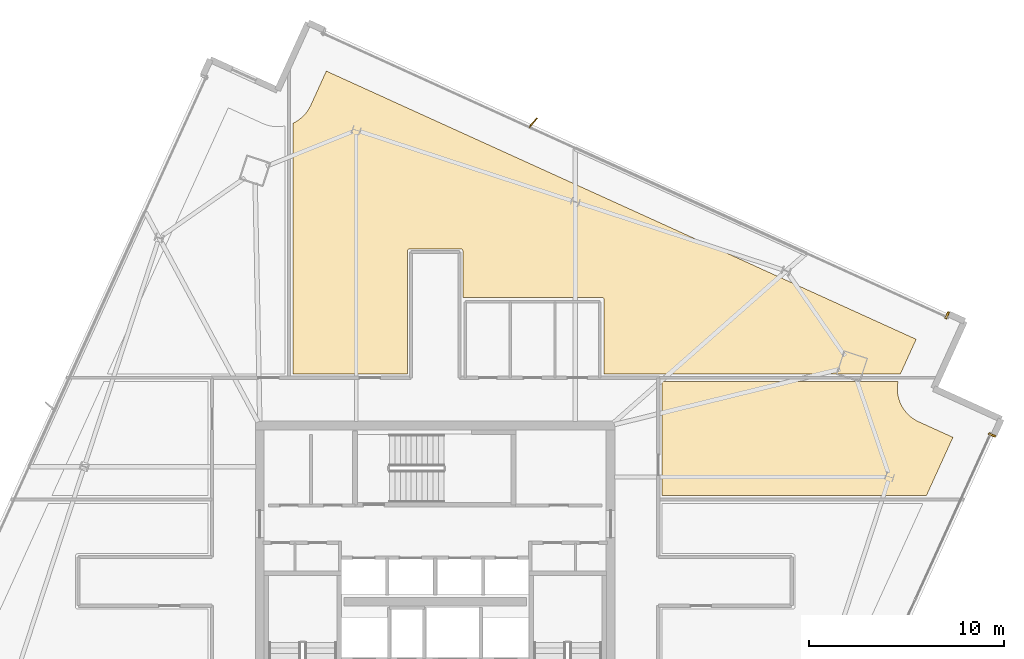
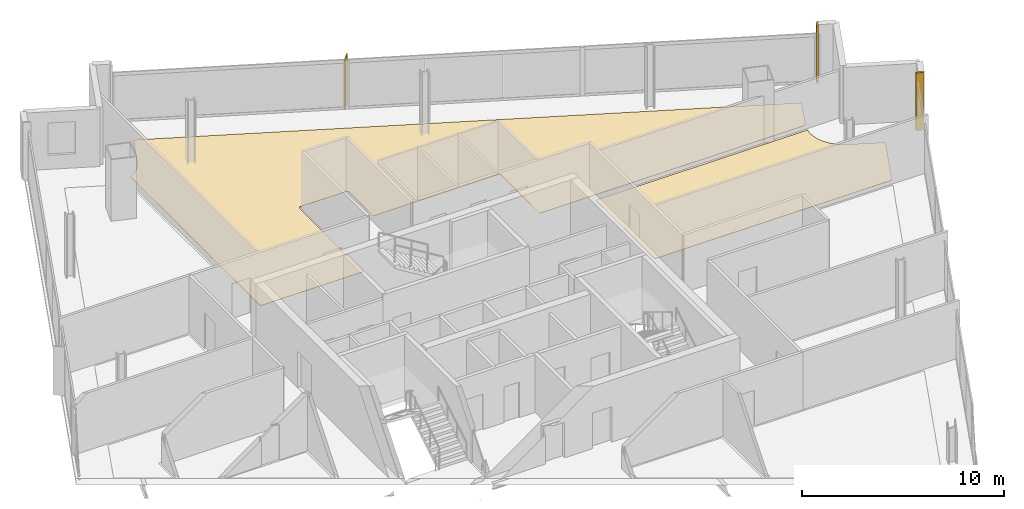
# One storey, part 26 of 26: 4 coverings, 1 shading device.
"""IFC4 building model written with IfcOpenShell, lengths in metres."""

from ifc_helpers import new_model, si_unit, direction, frame, origin, origin_2d, place, context, subcontext, project, spatial, polyline, rectangle, outline, extrude, source, transform, mapped, material, layer, layer_set, type_object, element, save


model = new_model("IFC4")

# Units and contexts
model_context = context("Model", 3, precision=1e-05, world=origin(), true_north=direction((0.0, 1.0)))
body_context = subcontext(model_context, "Body", "Model", "MODEL_VIEW")
ifc_project = project(units=[si_unit("LENGTHUNIT", "METRE"), si_unit("AREAUNIT", "SQUARE_METRE"), si_unit("VOLUMEUNIT", "CUBIC_METRE"), si_unit("PLANEANGLEUNIT", "RADIAN"), si_unit("MASSUNIT", "GRAM", prefix="KILO")], contexts=[model_context])

# Site, building, storey
site_placement = place(None, origin())
site = spatial("IfcSite", under=ifc_project, at=site_placement, CompositionType="ELEMENT")
building_placement = place(site_placement, origin())
building = spatial("IfcBuilding", under=site, at=building_placement, Name="Haldenkirk Collegiate Tower", CompositionType="ELEMENT")
storey_placement = place(building_placement, frame((0.0, 0.0, 248.699951171875)))
storey = spatial("IfcBuildingStorey", under=building, at=storey_placement, Name="L62", CompositionType="ELEMENT", Elevation=248.699951171875)

# Coverings
ifc_material_1 = material(Name="Engineered collegiate oak acoustic flooring", Category="wood")
ifc_layer_1 = layer(ifc_material_1, 0.02197265625)
ifc_layer_set_1 = layer_set([ifc_layer_1], Name="Engineered collegiate oak acoustic flooring")
covering_type_1 = type_object("IfcCoveringType", Name="COV-FLOOR-TIMBER", PredefinedType="FLOORING", material=ifc_layer_set_1)
covering_1_placement = place(storey_placement, origin())
element("IfcCovering", 1, at=covering_1_placement, inside=storey, type_object=covering_type_1, Name="L62 academic room finish 05", PredefinedType="FLOORING", context=body_context, shape_type="SweptSolid", body=[
    extrude(outline(polyline([(28.728271484375, 49.529052734375), (28.73876953125, 49.5341796875), (28.888916015625, 49.617431640625), (28.899169921875, 49.623779296875), (29.040283203125, 49.72119140625), (29.0498046875, 49.728515625), (29.180908203125, 49.83935546875), (29.189453125, 49.847412109375), (29.30908203125, 49.970458984375), (29.31689453125, 49.9794921875), (29.423828125, 50.11376953125), (29.4306640625, 50.123291015625), (29.52392578125, 50.267578125), (29.52978515625, 50.277587890625), (29.6083984375, 50.430419921875), (29.611083984375, 50.435791015625), (30.409912109375, 52.192626953125), (60.68701171875, 38.426513671875), (59.88818359375, 36.66943359375), (59.885986328125, 36.6640625), (59.88037109375, 36.64990234375), (44.669921875, 36.64990234375), (44.669921875, 40.449951171875), (44.66943359375, 40.4619140625), (44.667724609375, 40.473388671875), (44.664794921875, 40.48486328125), (44.660888671875, 40.495849609375), (44.65576171875, 40.506591796875), (44.64990234375, 40.5166015625), (44.642822265625, 40.526123046875), (44.635009765625, 40.534912109375), (44.626220703125, 40.542724609375), (44.61669921875, 40.5498046875), (44.606689453125, 40.555908203125), (44.595947265625, 40.560791015625), (44.584716796875, 40.564697265625), (44.573486328125, 40.567626953125), (44.561767578125, 40.5693359375), (44.550048828125, 40.570068359375), (37.449951171875, 40.570068359375), (37.438232421875, 40.5693359375), (37.426513671875, 40.567626953125), (37.419921875, 40.56591796875), (37.419921875, 42.949951171875), (37.41943359375, 42.9619140625), (37.417724609375, 42.973388671875), (37.414794921875, 42.98486328125), (37.410888671875, 42.995849609375), (37.40576171875, 43.006591796875), (37.39990234375, 43.0166015625), (37.392822265625, 43.026123046875), (37.385009765625, 43.034912109375), (37.376220703125, 43.042724609375), (37.36669921875, 43.0498046875), (37.356689453125, 43.055908203125), (37.345947265625, 43.060791015625), (37.334716796875, 43.064697265625), (37.323486328125, 43.067626953125), (37.311767578125, 43.0693359375), (37.300048828125, 43.070068359375), (34.699951171875, 43.070068359375), (34.688232421875, 43.0693359375), (34.676513671875, 43.067626953125), (34.665283203125, 43.064697265625), (34.654052734375, 43.060791015625), (34.643310546875, 43.055908203125), (34.63330078125, 43.0498046875), (34.623779296875, 43.042724609375), (34.614990234375, 43.034912109375), (34.607177734375, 43.026123046875), (34.60009765625, 43.0166015625), (34.59423828125, 43.006591796875), (34.589111328125, 42.995849609375), (34.585205078125, 42.98486328125), (34.582275390625, 42.973388671875), (34.58056640625, 42.9619140625), (34.580078125, 42.949951171875), (34.580078125, 36.64990234375), (28.699951171875, 36.64990234375), (28.699951171875, 49.516845703125), (28.728271484375, 49.529052734375)])), origin(), (0.0, 0.0, 1.0), 0.02197265625),
])
covering_2_placement = place(storey_placement, origin())
element("IfcCovering", 2, at=covering_2_placement, inside=storey, type_object=covering_type_1, Name="L62 academic room finish 11", PredefinedType="FLOORING", context=body_context, shape_type="SweptSolid", body=[
    extrude(outline(polyline([(59.73779296875, 36.147705078125), (59.736328125, 36.13623046875), (59.721923828125, 35.965087890625), (59.7216796875, 35.953125), (59.72412109375, 35.781494140625), (59.72509765625, 35.769775390625), (59.744384765625, 35.59912109375), (59.746337890625, 35.58740234375), (59.7822265625, 35.419677734375), (59.785400390625, 35.408203125), (59.837646484375, 35.24462890625), (59.841796875, 35.233642578125), (59.909912109375, 35.075927734375), (59.9150390625, 35.0654296875), (59.998291015625, 34.915283203125), (60.00439453125, 34.905029296875), (60.10205078125, 34.763916015625), (60.109130859375, 34.75439453125), (60.22021484375, 34.623291015625), (60.228271484375, 34.61474609375), (60.351318359375, 34.4951171875), (60.3603515625, 34.4873046875), (60.49462890625, 34.380615234375), (60.504150390625, 34.37353515625), (60.6484375, 34.2802734375), (60.65869140625, 34.2744140625), (60.811279296875, 34.19580078125), (60.816650390625, 34.193115234375), (62.573486328125, 33.394287109375), (61.2119140625, 30.39990234375), (47.64990234375, 30.39990234375), (47.64990234375, 36.25), (59.756591796875, 36.25), (59.73779296875, 36.147705078125)])), origin(), (0.0, 0.0, 1.0), 0.02197265625),
])
ifc_material_2 = material(Name="Anodised architectural bronze aluminium", Category="aluminium")
ifc_layer_2 = layer(ifc_material_2, 0.06005859375)
ifc_layer_set_2 = layer_set([ifc_layer_2], Name="Anodised architectural bronze aluminium")
covering_type_2 = type_object("IfcCoveringType", Name="COV-CLAD-BRONZE-60", PredefinedType="CLADDING", material=ifc_layer_set_2)
shared_shape_1 = source(origin(), body_context, "Body", "SweptSolid", [
    extrude(rectangle(XDim=0.10009765625, YDim=0.3798828125, at=origin_2d()), origin(), (0.0, 0.0, 1.0), 3.47998046875),
])
for number, where, z_axis, x_axis, name in (
    (3, (64.5830078125, 33.51318359375, 0.0), (0.0, 0.0, 1.0), (-0.413898993841, -0.910322812467, 0.0), "L62 recessed curtain-wall bronze jamb closure SJL"),
    (4, (62.279541015625, 39.65771484375, 0.0), (0.0, 0.0, 1.0), (0.910322812467, -0.413898993841, 0.0), "L62 recessed curtain-wall bronze jamb closure EJR"),
):
    element("IfcCovering", number, at=place(storey_placement, frame(where, z_axis=z_axis, x_axis=x_axis)), inside=storey, type_object=covering_type_2, Name=name, PredefinedType="CLADDING", context=body_context, shape_type="MappedRepresentation", body=[
        mapped(shared_shape_1, transform((0.0, 0.0, 0.0), x_axis=(1.0, 0.0, 0.0), y_axis=(0.0, 1.0, 0.0), z_axis=(0.0, 0.0, 1.0), scale=1.0)),
    ])

# Shading device
ifc_layer_3 = layer(ifc_material_2, 0.06494140625)
ifc_layer_set_3 = layer_set([ifc_layer_3], Name="Anodised architectural bronze aluminium")
shading_device_type = type_object("IfcShadingDeviceType", Name="SHD-FIN-BRONZE-620", PredefinedType="USERDEFINED", material=ifc_layer_set_3)
shared_shape_2 = source(origin(), body_context, "Body", "SweptSolid", [
    extrude(rectangle(XDim=0.6201171875, YDim=0.06494140625, at=origin_2d()), origin(), (0.0, 0.0, 1.0), 2.93798828125),
])
shading_device_placement = place(storey_placement, frame((41.029541015625, 49.544677734375, 0.0), z_axis=(0.0, 0.0, 1.0), x_axis=(0.648784221735, 0.760972426325, 0.0)))
element("IfcShadingDevice", 5, at=shading_device_placement, inside=storey, type_object=shading_device_type, Name="L62 folded bronze solar fin 1", ObjectType="FIN", PredefinedType="USERDEFINED", context=body_context, shape_type="MappedRepresentation", body=[
    mapped(shared_shape_2, transform((0.0, 0.0, 0.0), x_axis=(1.0, 0.0, 0.0), y_axis=(0.0, 1.0, 0.0), z_axis=(0.0, 0.0, 1.0), scale=1.0)),
])

save(model, "model.ifc")
